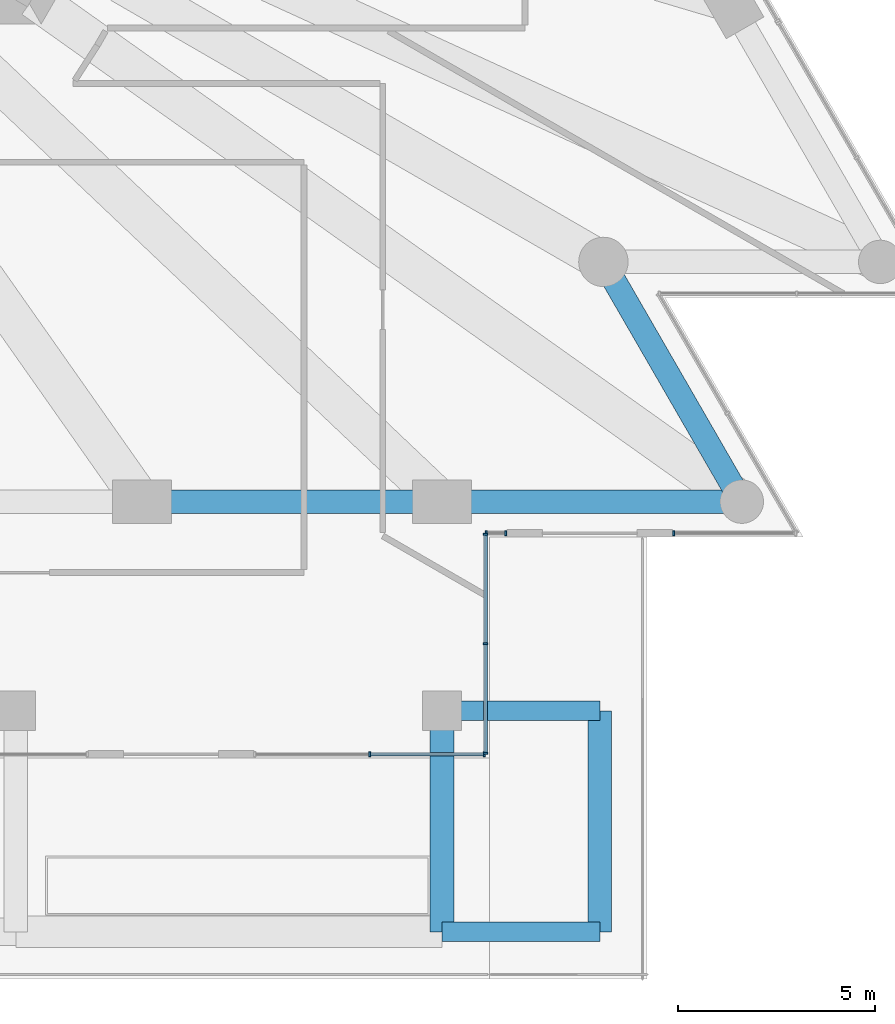
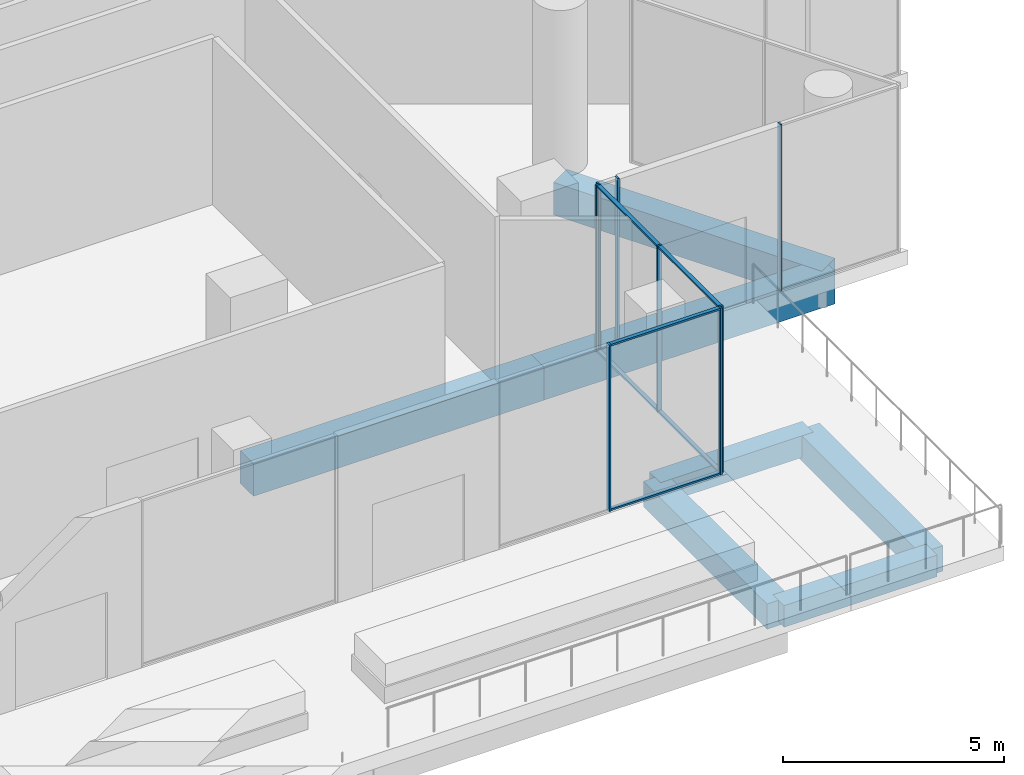
# One storey, part 8 of 32: 14 members, 7 beams, 4 elements without a shape of their own.
"""IFC4 building model written with IfcOpenShell, lengths in metres."""

import ifcopenshell
import ifcopenshell.guid

model = None  # the IFC model being written
_history = None  # IfcOwnerHistory: only IFC2X3 demands one
_inside = {}  # id of a spatial element -> (the spatial element, [elements in it])
_under = {}  # id of a project, library or spatial element -> (it, [spatial elements below it])
_declared = {}  # id of a project -> (the project, [libraries it declares])
_typed = {}  # id of a type object -> (the type object, [elements of that type])
_made_of = {}  # id of a material, layer set ... -> (it, [elements and type objects made of it])


def new_model(schema):
    """Start an empty IFC model of exactly this schema.

    Asked for "IFC4X3", IfcOpenShell would pick the latest addendum, in which some entities
    have other attributes; the version numbers below select the first issue.
    IFC2X3 requires an IfcOwnerHistory on every rooted entity: one is made here for all.
    """
    global model, _history
    if schema == "IFC4X3":
        model = ifcopenshell.file(schema_version=(4, 3, 0, 0))
    else:
        model = ifcopenshell.file(schema=schema)
    _inside.clear()
    _under.clear()
    _declared.clear()
    _typed.clear()
    _made_of.clear()
    _history = None
    if model.schema == "IFC2X3":
        org = make("IfcOrganization", Name="unknown")
        user = make(
            "IfcPersonAndOrganization",
            ThePerson=make("IfcPerson", FamilyName="unknown"),
            TheOrganization=org,
        )
        app = make(
            "IfcApplication",
            ApplicationDeveloper=org,
            Version="unknown",
            ApplicationFullName="unknown",
            ApplicationIdentifier="unknown",
        )
        _history = make(
            "IfcOwnerHistory",
            OwningUser=user,
            OwningApplication=app,
            ChangeAction="ADDED",
            CreationDate=0,
        )
    return model


def make(cls, **values):
    """One entity of the class cls with the attributes given. An attribute that is None is left unset."""
    return model.create_entity(
        cls, **{name: value for name, value in values.items() if value is not None}
    )


def rooted(cls, **values):
    """An entity with a GlobalId (a new one), such as an element, a storey or a relation."""
    return make(cls, GlobalId=ifcopenshell.guid.new(), OwnerHistory=_history, **values)


def si_unit(unit_type, name, prefix=None):
    """IfcSIUnit, for example si_unit("LENGTHUNIT", "METRE", prefix="MILLI")."""
    return make("IfcSIUnit", UnitType=unit_type, Prefix=prefix, Name=name)


def assignment(units):
    """IfcUnitAssignment: the units of a project."""
    return None if units is None else make("IfcUnitAssignment", Units=units)


def point(xyz):
    """IfcCartesianPoint."""
    return None if xyz is None else make("IfcCartesianPoint", Coordinates=xyz)


def direction(xyz):
    """IfcDirection."""
    return None if xyz is None else make("IfcDirection", DirectionRatios=xyz)


def frame(location, z_axis=None, x_axis=None):
    """IfcAxis2Placement3D, a coordinate frame: its origin and axes. An axis left out is left unset."""
    return make(
        "IfcAxis2Placement3D",
        Location=point(location),
        Axis=direction(z_axis),
        RefDirection=direction(x_axis),
    )


def frame_2d(location, x_axis=None):
    """IfcAxis2Placement2D, a coordinate frame in the plane: its origin and x axis."""
    return make(
        "IfcAxis2Placement2D", Location=point(location), RefDirection=direction(x_axis)
    )


def origin():
    """The frame at (0, 0, 0) with its axes left unset."""
    return frame((0.0, 0.0, 0.0))


def origin_2d():
    """The frame at (0, 0) in the plane with its x axis left unset."""
    return frame_2d((0.0, 0.0))


def place(relative_to, where):
    """IfcLocalPlacement: puts the frame where relative to a parent placement (None: the world)."""
    return make(
        "IfcLocalPlacement", PlacementRelTo=relative_to, RelativePlacement=where
    )


def context(
    kind, dimensions, precision=None, world=None, true_north=None, identifier=None
):
    """IfcGeometricRepresentationContext, for example the 3D "Model" context."""
    return make(
        "IfcGeometricRepresentationContext",
        ContextIdentifier=identifier,
        ContextType=kind,
        CoordinateSpaceDimension=dimensions,
        Precision=precision,
        WorldCoordinateSystem=world,
        TrueNorth=true_north,
    )


def subcontext(parent, identifier, kind, view, scale=None):
    """IfcGeometricRepresentationSubContext, for example "Body" below "Model"."""
    return make(
        "IfcGeometricRepresentationSubContext",
        ContextIdentifier=identifier,
        ContextType=kind,
        ParentContext=parent,
        TargetScale=scale,
        TargetView=view,
    )


def project(units=None, contexts=None):
    """IfcProject with its units and contexts."""
    return rooted(
        "IfcProject",
        Name="project",
        RepresentationContexts=contexts,
        UnitsInContext=assignment(units),
    )


def spatial(cls, under=None, at=None, **own):
    """A site, building, storey or space (cls), placed at a placement, below another one or the project."""
    s = rooted(cls, ObjectPlacement=at, **own)
    if under is not None:
        _under.setdefault(under.id(), (under, []))[1].append(s)
    return s


def profile(cls, at=None, kind="AREA", **sizes):
    """A parametric profile (cls). Its sizes go by their IFC names, for example OverallWidth=200.0."""
    return make(cls, ProfileType=kind, Position=at, **sizes)


def rectangle(**sizes):
    """IfcRectangleProfileDef."""
    return profile("IfcRectangleProfileDef", **sizes)


def extrude(swept, where, along, depth):
    """IfcExtrudedAreaSolid: the profile swept, set in the frame where, extruded along a direction by depth."""
    return make(
        "IfcExtrudedAreaSolid",
        SweptArea=swept,
        Position=where,
        ExtrudedDirection=direction(along),
        Depth=depth,
    )


def shape(context_of_items, identifier, shape_type, items):
    """IfcShapeRepresentation: the items that make up one representation, for example the "Body"."""
    return make(
        "IfcShapeRepresentation",
        ContextOfItems=context_of_items,
        RepresentationIdentifier=identifier,
        RepresentationType=shape_type,
        Items=items,
    )


def material(Name=None, Category=None):
    """IfcMaterial."""
    return make("IfcMaterial", Name=Name, Category=Category)


def layer(
    of_material, thickness, ventilated=None, Name=None, Category=None, Priority=None
):
    """IfcMaterialLayer: one layer of a wall or slab, of a material (None: an air gap)."""
    return make(
        "IfcMaterialLayer",
        Material=of_material,
        LayerThickness=thickness,
        IsVentilated=ventilated,
        Name=Name,
        Category=Category,
        Priority=Priority,
    )


def layer_set(layers, Name=None):
    """IfcMaterialLayerSet."""
    return make("IfcMaterialLayerSet", MaterialLayers=layers, LayerSetName=Name)


def material_profile(
    of_material, cross_section, Name=None, Category=None, Priority=None
):
    """IfcMaterialProfile: a cross section and its material."""
    return make(
        "IfcMaterialProfile",
        Name=Name,
        Material=of_material,
        Profile=cross_section,
        Priority=Priority,
        Category=Category,
    )


def profile_set(profiles, Name=None, composite=None):
    """IfcMaterialProfileSet."""
    return make(
        "IfcMaterialProfileSet",
        Name=Name,
        MaterialProfiles=profiles,
        CompositeProfile=composite,
    )


def made_of(thing, what):
    """Note that an element or type object is made of a material, layer set ...; save() writes the relation."""
    if what is not None:
        _made_of.setdefault(what.id(), (what, []))[1].append(thing)
    return thing


def type_object(cls, material=None, **own):
    """A type object (cls), such as IfcWallType, which elements share."""
    return made_of(rooted(cls, **own), material)


def element(
    cls,
    number,
    at=None,
    inside=None,
    cuts=None,
    type_object=None,
    material=None,
    context=None,
    identifier="Body",
    shape_type=None,
    held_by="IfcProductDefinitionShape",
    body=None,
    shapes=None,
    **own,
):
    """One element of the class cls, such as IfcWall. Its Tag is "e" and its number.

    at: its placement. inside: the storey or other place that contains it. cuts: it is an
    opening in that element (IfcRelVoidsElement). A single representation is given by context,
    identifier, shape_type and body (its items); several are given by shapes. held_by: the class
    of the entity that holds the representations. save() writes the other relations.
    """
    e = rooted(cls, Tag="e%d" % number, ObjectPlacement=at, **own)
    if body is not None:
        shapes = [shape(context, identifier, shape_type, body)]
    if shapes is not None:
        e.Representation = make(held_by, Representations=shapes)
    if inside is not None:
        _inside.setdefault(inside.id(), (inside, []))[1].append(e)
    if cuts is not None:
        rooted(
            "IfcRelVoidsElement", RelatingBuildingElement=cuts, RelatedOpeningElement=e
        )
    if type_object is not None:
        _typed.setdefault(type_object.id(), (type_object, []))[1].append(e)
    return made_of(e, material)


def aggregate(whole, parts):
    """IfcRelAggregates: a whole, such as a stair, and the parts it consists of."""
    return rooted("IfcRelAggregates", RelatingObject=whole, RelatedObjects=parts)


def save(model, path):
    """Write the relations noted so far, then the file.

    IfcRelAggregates (storeys below a building ...), IfcRelContainedInSpatialStructure (elements
    in a storey), IfcRelDefinesByType, IfcRelAssociatesMaterial and IfcRelDeclares: one each for
    every whole, place, type object, material and project.
    """
    for whole, parts in _under.values():
        aggregate(whole, parts)
    for where, things in _inside.values():
        rooted(
            "IfcRelContainedInSpatialStructure",
            RelatedElements=things,
            RelatingStructure=where,
        )
    for kind, things in _typed.values():
        rooted("IfcRelDefinesByType", RelatedObjects=things, RelatingType=kind)
    for what, things in _made_of.values():
        rooted("IfcRelAssociatesMaterial", RelatedObjects=things, RelatingMaterial=what)
    for by, libraries in _declared.values():
        rooted("IfcRelDeclares", RelatingContext=by, RelatedDefinitions=libraries)
    model.write(path)


model = new_model("IFC4")

# Units and contexts
model_context = context("Model", 3, precision=1e-05, world=origin(), true_north=direction((0.0, 1.0)))
body_context = subcontext(model_context, "Body", "Model", "MODEL_VIEW")
ifc_project = project(units=[si_unit("LENGTHUNIT", "METRE"), si_unit("AREAUNIT", "SQUARE_METRE"), si_unit("VOLUMEUNIT", "CUBIC_METRE"), si_unit("PLANEANGLEUNIT", "RADIAN"), si_unit("MASSUNIT", "GRAM", prefix="KILO")], contexts=[model_context])

# Site, building, storey
site_placement = place(None, origin())
site = spatial("IfcSite", under=ifc_project, at=site_placement, CompositionType="ELEMENT")
building_placement = place(site_placement, origin())
building = spatial("IfcBuilding", under=site, at=building_placement, Name="Triada Interchange Tower", CompositionType="ELEMENT")
storey_placement = place(building_placement, frame((0.0, 0.0, 25.300048828125)))
storey = spatial("IfcBuildingStorey", under=building, at=storey_placement, Name="L04", CompositionType="ELEMENT", Elevation=25.300048828125)

# Curtain wall, members
ifc_material_1 = material(Name="Aluminium framed glazing", Category="aluminium")
ifc_layer = layer(ifc_material_1, 0.199951171875)
ifc_layer_set = layer_set([ifc_layer], Name="Curtain wall Winter garden glazing")
curtain_wall_type = type_object("IfcCurtainWallType", Name="Curtain wall Winter garden glazing", PredefinedType="NOTDEFINED", material=ifc_layer_set)
curtain_wall_1_placement = place(storey_placement, origin())
curtain_wall_1 = element("IfcCurtainWall", 1, at=curtain_wall_1_placement, inside=storey, type_object=curtain_wall_type, Name="Winter garden glazing CW006 L04", PredefinedType="NOTDEFINED")
ifc_material_2 = material(Name="Aluminium", Category="aluminium")
ifc_material_profile_1 = material_profile(ifc_material_2, rectangle(XDim=0.1201171875, YDim=0.050048828125, at=origin_2d()), Name="Aluminium mullion")
ifc_profile_set_1 = profile_set([ifc_material_profile_1], Name="Aluminium")
member_type_1 = type_object("IfcMemberType", Name="Mullion Winter garden glazing 120x50", PredefinedType="MULLION", material=ifc_profile_set_1)
member_1_placement = place(storey_placement, frame((20.966552734375, -28.0, 0.0), z_axis=(0.0, 0.0, 1.0), x_axis=(0.0, 1.0, 0.0)))
member_1 = element("IfcMember", 2, at=member_1_placement, type_object=member_type_1, Name="CW006 mullion 2", PredefinedType="MULLION", context=body_context, shape_type="SweptSolid", body=[
    extrude(rectangle(XDim=0.1201171875, YDim=0.050048828125, at=origin_2d()), origin(), (0.0, 0.0, 1.0), 4.599853515625),
])
member_2_placement = place(storey_placement, frame((23.875, -28.0, 0.0), z_axis=(0.0, 0.0, 1.0), x_axis=(0.0, 1.0, 0.0)))
member_2 = element("IfcMember", 3, at=member_2_placement, type_object=member_type_1, Name="CW006 mullion 3", PredefinedType="MULLION", context=body_context, shape_type="SweptSolid", body=[
    extrude(rectangle(XDim=0.1201171875, YDim=0.050048828125, at=origin_2d()), origin(), (0.0, 0.0, 1.0), 4.599853515625),
])

curtain_wall_2_placement = place(storey_placement, origin())
curtain_wall_2 = element("IfcCurtainWall", 4, at=curtain_wall_2_placement, inside=storey, type_object=curtain_wall_type, Name="Winter garden glazing CW007 L04", PredefinedType="NOTDEFINED")
member_3_placement = place(storey_placement, frame((23.89990234375, -27.97509765625, 0.0), z_axis=(0.0, 0.0, 1.0), x_axis=(-1.0, 0.0, 0.0)))
member_3 = element("IfcMember", 5, at=member_3_placement, type_object=member_type_1, Name="CW007 mullion 1", PredefinedType="MULLION", context=body_context, shape_type="SweptSolid", body=[
    extrude(rectangle(XDim=0.1201171875, YDim=0.050048828125, at=origin_2d()), origin(), (0.0, 0.0, 1.0), 4.599853515625),
])
member_4_placement = place(storey_placement, frame((23.89990234375, -25.199951171875, 0.0), z_axis=(0.0, 0.0, 1.0), x_axis=(-1.0, 0.0, 0.0)))
member_4 = element("IfcMember", 6, at=member_4_placement, type_object=member_type_1, Name="CW007 mullion 2", PredefinedType="MULLION", context=body_context, shape_type="SweptSolid", body=[
    extrude(rectangle(XDim=0.1201171875, YDim=0.050048828125, at=origin_2d()), origin(), (0.0, 0.0, 1.0), 4.599853515625),
])
member_5_placement = place(storey_placement, frame((23.89990234375, -22.425048828125, 0.0), z_axis=(0.0, 0.0, 1.0), x_axis=(-1.0, 0.0, 0.0)))
member_5 = element("IfcMember", 7, at=member_5_placement, type_object=member_type_1, Name="CW007 mullion 3", PredefinedType="MULLION", context=body_context, shape_type="SweptSolid", body=[
    extrude(rectangle(XDim=0.1201171875, YDim=0.050048828125, at=origin_2d()), origin(), (0.0, 0.0, 1.0), 4.599853515625),
])

curtain_wall_3_placement = place(storey_placement, origin())
curtain_wall_3 = element("IfcCurtainWall", 8, at=curtain_wall_3_placement, inside=storey, type_object=curtain_wall_type, Name="Winter garden glazing CW008 L04", PredefinedType="NOTDEFINED")
member_6_placement = place(storey_placement, frame((23.925048828125, -22.39990234375, 0.0), z_axis=(0.0, 0.0, 1.0), x_axis=(0.0, 1.0, 0.0)))
member_6 = element("IfcMember", 9, at=member_6_placement, type_object=member_type_1, Name="CW008 mullion 1", PredefinedType="MULLION", context=body_context, shape_type="SweptSolid", body=[
    extrude(rectangle(XDim=0.1201171875, YDim=0.050048828125, at=origin_2d()), origin(), (0.0, 0.0, 1.0), 4.599853515625),
])
member_7_placement = place(storey_placement, frame((24.4169921875, -22.39990234375, 0.0), z_axis=(0.0, 0.0, 1.0), x_axis=(0.0, 1.0, 0.0)))
member_7 = element("IfcMember", 10, at=member_7_placement, type_object=member_type_1, Name="CW008 mullion 2", PredefinedType="MULLION", context=body_context, shape_type="SweptSolid", body=[
    extrude(rectangle(XDim=0.1201171875, YDim=0.050048828125, at=origin_2d()), origin(), (0.0, 0.0, 1.0), 4.599853515625),
])
aggregate(curtain_wall_3, [member_6, member_7])

# Curtain wall, member
curtain_wall_4_placement = place(storey_placement, origin())
curtain_wall_4 = element("IfcCurtainWall", 11, at=curtain_wall_4_placement, inside=storey, type_object=curtain_wall_type, Name="Winter garden glazing CW009 L04", PredefinedType="NOTDEFINED")
member_8_placement = place(storey_placement, frame((28.6669921875, -22.39990234375, 0.0), z_axis=(0.0, 0.0, 1.0), x_axis=(0.0, 1.0, 0.0)))
member_8 = element("IfcMember", 12, at=member_8_placement, type_object=member_type_1, Name="CW009 mullion 1", PredefinedType="MULLION", context=body_context, shape_type="SweptSolid", body=[
    extrude(rectangle(XDim=0.1201171875, YDim=0.050048828125, at=origin_2d()), origin(), (0.0, 0.0, 1.0), 4.599853515625),
])
aggregate(curtain_wall_4, [member_8])

# Beams
ifc_material_3 = material(Name="Concrete C50/60", Category="concrete")
ifc_material_profile_2 = material_profile(ifc_material_3, rectangle(XDim=0.60009765625, YDim=0.89990234375, at=origin_2d()), Name="RC 600x900")
ifc_profile_set_2 = profile_set([ifc_material_profile_2], Name="Concrete C50/60")
beam_type_1 = type_object("IfcBeamType", Name="Spandrel beam P RC 600x900", PredefinedType="BEAM", material=ifc_profile_set_2)
beam_1_placement = place(storey_placement, frame((15.198974609375, -21.60009765625, -0.85009765625), z_axis=(1.0, 0.0, 0.0), x_axis=(0.0, 1.0, 0.0)))
element("IfcBeam", 13, at=beam_1_placement, inside=storey, type_object=beam_type_1, Name="Spandrel beam EP17 L04", PredefinedType="BEAM", context=body_context, shape_type="SweptSolid", body=[
    extrude(rectangle(XDim=0.60009765625, YDim=0.89990234375, at=origin_2d()), origin(), (0.0, 0.0, 1.0), 7.59912109375),
])
beam_2_placement = place(storey_placement, frame((22.798095703125, -21.60009765625, -0.85009765625), z_axis=(1.0, 0.0, 0.0), x_axis=(0.0, 1.0, 0.0)))
element("IfcBeam", 14, at=beam_2_placement, inside=storey, type_object=beam_type_1, Name="Spandrel beam EP18 L04", PredefinedType="BEAM", context=body_context, shape_type="SweptSolid", body=[
    extrude(rectangle(XDim=0.60009765625, YDim=0.89990234375, at=origin_2d()), origin(), (0.0, 0.0, 1.0), 7.598876953125),
])
beam_3_placement = place(storey_placement, frame((30.39697265625, -21.60009765625, -0.85009765625), z_axis=(-0.499953429515, 0.866052289597, 0.0), x_axis=(-0.866052289597, -0.499953429515, 0.0)))
element("IfcBeam", 15, at=beam_3_placement, inside=storey, type_object=beam_type_1, Name="Spandrel beam EP19 L04", PredefinedType="BEAM", context=body_context, shape_type="SweptSolid", body=[
    extrude(rectangle(XDim=0.60009765625, YDim=0.89990234375, at=origin_2d()), origin(), (0.0, 0.0, 1.0), 7.014892578125),
])
ifc_material_4 = material(Name="Concrete C40/50", Category="concrete")
ifc_material_profile_3 = material_profile(ifc_material_4, rectangle(XDim=0.5, YDim=0.60009765625, at=origin_2d()), Name="RC 500x600")
ifc_profile_set_3 = profile_set([ifc_material_profile_3], Name="Concrete C40/50")
beam_type_2 = type_object("IfcBeamType", Name="Terrace beam RC 500x600", PredefinedType="BEAM", material=ifc_profile_set_3)
for number, where, z_axis, x_axis, name in (
    (16, (26.800048828125, -32.5, -0.699951171875), (-1.0, 0.0, 0.0), (0.0, -1.0, 0.0), "Terrace beam TE04 L04"),
    (17, (26.800048828125, -26.89990234375, -0.699951171875), (-1.0, 0.0, 0.0), (0.0, -1.0, 0.0), "Terrace beam TE05 L04"),
):
    element("IfcBeam", number, at=place(storey_placement, frame(where, z_axis=z_axis, x_axis=x_axis)), inside=storey, type_object=beam_type_2, Name=name, PredefinedType="BEAM", context=body_context, shape_type="SweptSolid", body=[
        extrude(rectangle(XDim=0.5, YDim=0.60009765625, at=origin_2d()), origin(), (0.0, 0.0, 1.0), 4.0),
    ])
ifc_material_profile_4 = material_profile(ifc_material_4, rectangle(XDim=0.60009765625, YDim=0.699951171875, at=origin_2d()), Name="RC 600x700")
ifc_profile_set_4 = profile_set([ifc_material_profile_4], Name="Concrete C40/50")
beam_type_3 = type_object("IfcBeamType", Name="Terrace beam RC 600x700", PredefinedType="BEAM", material=ifc_profile_set_4)
for number, where, z_axis, x_axis, name in (
    (18, (26.800048828125, -32.5, -0.75), (0.0, 1.0, 0.0), (-1.0, 0.0, 0.0), "Terrace beam TE06 L04"),
    (19, (22.800048828125, -32.5, -0.75), (0.0, 1.0, 0.0), (-1.0, 0.0, 0.0), "Terrace beam TE12 L04"),
):
    element("IfcBeam", number, at=place(storey_placement, frame(where, z_axis=z_axis, x_axis=x_axis)), inside=storey, type_object=beam_type_3, Name=name, PredefinedType="BEAM", context=body_context, shape_type="SweptSolid", body=[
        extrude(rectangle(XDim=0.60009765625, YDim=0.699951171875, at=origin_2d()), origin(), (0.0, 0.0, 1.0), 5.60009765625),
    ])

# Member
ifc_material_profile_5 = material_profile(ifc_material_2, rectangle(XDim=0.10009765625, YDim=0.050048828125, at=origin_2d()), Name="Aluminium transom")
ifc_profile_set_5 = profile_set([ifc_material_profile_5], Name="Aluminium")
member_type_2 = type_object("IfcMemberType", Name="Transom Winter garden glazing 100x50", PredefinedType="USERDEFINED", material=ifc_profile_set_5)
member_9_placement = place(storey_placement, frame((20.991455078125, -28.0, 0.02490234375), z_axis=(1.0, 0.0, 0.0), x_axis=(0.0, 1.0, 0.0)))
member_9 = element("IfcMember", 20, at=member_9_placement, type_object=member_type_2, Name="CW006 transom 2.1", ObjectType="TRANSOM", PredefinedType="USERDEFINED", context=body_context, shape_type="SweptSolid", body=[
    extrude(rectangle(XDim=0.10009765625, YDim=0.050048828125, at=origin_2d()), origin(), (0.0, 0.0, 1.0), 2.858642578125),
])

member_10_placement = place(storey_placement, frame((20.991455078125, -28.0, 4.574951171875), z_axis=(1.0, 0.0, 0.0), x_axis=(0.0, 1.0, 0.0)))
member_10 = element("IfcMember", 21, at=member_10_placement, type_object=member_type_2, Name="CW006 transom 2.2", ObjectType="TRANSOM", PredefinedType="USERDEFINED", context=body_context, shape_type="SweptSolid", body=[
    extrude(rectangle(XDim=0.10009765625, YDim=0.050048828125, at=origin_2d()), origin(), (0.0, 0.0, 1.0), 2.858642578125),
])

aggregate(curtain_wall_1, [member_1, member_2, member_9, member_10])

member_11_placement = place(storey_placement, frame((23.89990234375, -27.949951171875, 0.02490234375), z_axis=(0.0, 1.0, 0.0), x_axis=(-1.0, 0.0, 0.0)))
member_11 = element("IfcMember", 22, at=member_11_placement, type_object=member_type_2, Name="CW007 transom 1.1", ObjectType="TRANSOM", PredefinedType="USERDEFINED", context=body_context, shape_type="SweptSolid", body=[
    extrude(rectangle(XDim=0.10009765625, YDim=0.050048828125, at=origin_2d()), origin(), (0.0, 0.0, 1.0), 2.724853515625),
])

member_12_placement = place(storey_placement, frame((23.89990234375, -27.949951171875, 4.574951171875), z_axis=(0.0, 1.0, 0.0), x_axis=(-1.0, 0.0, 0.0)))
member_12 = element("IfcMember", 23, at=member_12_placement, type_object=member_type_2, Name="CW007 transom 1.2", ObjectType="TRANSOM", PredefinedType="USERDEFINED", context=body_context, shape_type="SweptSolid", body=[
    extrude(rectangle(XDim=0.10009765625, YDim=0.050048828125, at=origin_2d()), origin(), (0.0, 0.0, 1.0), 2.724853515625),
])

member_13_placement = place(storey_placement, frame((23.89990234375, -25.175048828125, 0.02490234375), z_axis=(0.0, 1.0, 0.0), x_axis=(-1.0, 0.0, 0.0)))
member_13 = element("IfcMember", 24, at=member_13_placement, type_object=member_type_2, Name="CW007 transom 2.1", ObjectType="TRANSOM", PredefinedType="USERDEFINED", context=body_context, shape_type="SweptSolid", body=[
    extrude(rectangle(XDim=0.10009765625, YDim=0.050048828125, at=origin_2d()), origin(), (0.0, 0.0, 1.0), 2.72509765625),
])

member_14_placement = place(storey_placement, frame((23.89990234375, -25.175048828125, 4.574951171875), z_axis=(0.0, 1.0, 0.0), x_axis=(-1.0, 0.0, 0.0)))
member_14 = element("IfcMember", 25, at=member_14_placement, type_object=member_type_2, Name="CW007 transom 2.2", ObjectType="TRANSOM", PredefinedType="USERDEFINED", context=body_context, shape_type="SweptSolid", body=[
    extrude(rectangle(XDim=0.10009765625, YDim=0.050048828125, at=origin_2d()), origin(), (0.0, 0.0, 1.0), 2.72509765625),
])

aggregate(curtain_wall_2, [member_3, member_4, member_5, member_11, member_12, member_13, member_14])

save(model, "model.ifc")
